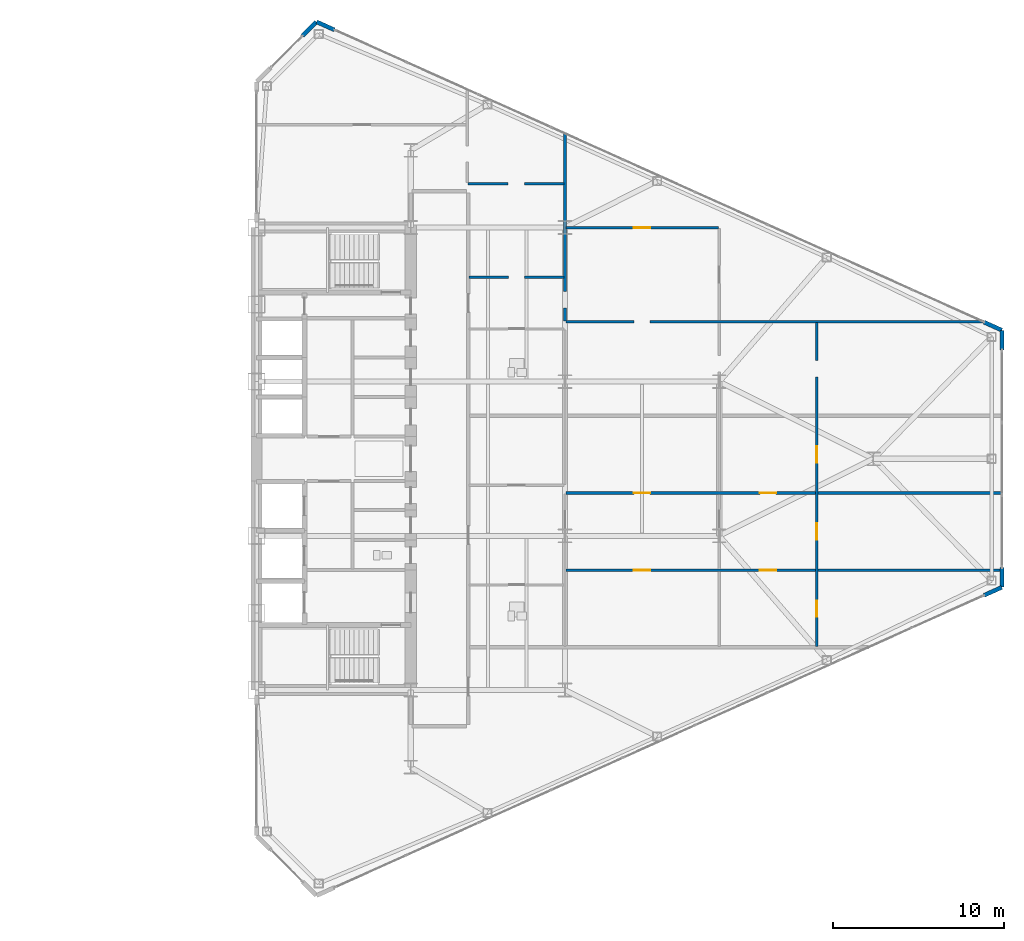
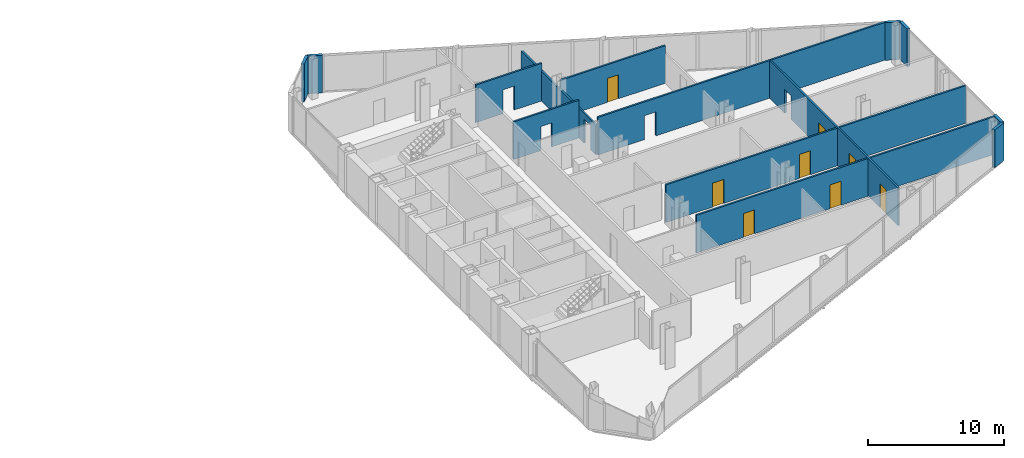
# One storey, part 24 of 27: 14 walls, 8 doors, 13 openings.
"""IFC4 building model written with IfcOpenShell, lengths in metres."""

from ifc_helpers import new_model, si_unit, direction, frame, frame_2d, origin, place, context, subcontext, project, spatial, rectangle, extrude, source, transform, mapped, material, layer, layer_set, type_object, type_shapes, element, fill, save


model = new_model("IFC4")

# Units and contexts
model_context = context("Model", 3, precision=1e-05, world=origin(), true_north=direction((0.0, 1.0)))
body_context = subcontext(model_context, "Body", "Model", "MODEL_VIEW")
ifc_project = project(units=[si_unit("LENGTHUNIT", "METRE"), si_unit("AREAUNIT", "SQUARE_METRE"), si_unit("VOLUMEUNIT", "CUBIC_METRE"), si_unit("PLANEANGLEUNIT", "RADIAN"), si_unit("MASSUNIT", "GRAM", prefix="KILO")], contexts=[model_context])

# Site, building, storey
site_placement = place(None, origin())
site = spatial("IfcSite", under=ifc_project, at=site_placement, CompositionType="ELEMENT")
building_placement = place(site_placement, origin())
building = spatial("IfcBuilding", under=site, at=building_placement, Name="Seokmaru Belvedere", CompositionType="ELEMENT")
storey_placement = place(building_placement, frame((0.0, 0.0, 103.199951171875)))
storey = spatial("IfcBuildingStorey", under=building, at=storey_placement, Name="L27", CompositionType="ELEMENT", Elevation=103.199951171875)

# Wall, openings, doors
ifc_material_1 = material(Name="Fire-Rated Gypsum Shaftwall")
ifc_layer_1 = layer(ifc_material_1, 0.14990234375)
ifc_layer_set_1 = layer_set([ifc_layer_1], Name="Fire-Rated Gypsum Shaftwall")
wall_type_1 = type_object("IfcWallType", Name="Apartment Fire-Acoustic Room Partition 150", PredefinedType="PARTITIONING", material=ifc_layer_set_1)
wall_1_placement = place(storey_placement, frame((45.550048828125, -6.5, 0.0), z_axis=(0.0, 0.0, 1.0), x_axis=(1.0, 0.0, 0.0)))
wall_1 = element("IfcWall", 1, at=wall_1_placement, inside=storey, type_object=wall_type_1, Name="L27 Interior Partition 011", PredefinedType="PARTITIONING", context=body_context, shape_type="SweptSolid", body=[
    extrude(rectangle(XDim=25.324951171875, YDim=0.14990234375, at=frame_2d((12.66259765625, 0.0))), origin(), (0.0, 0.0, 1.0), 3.380126953125),
])
opening_1_placement = place(wall_1_placement, frame((3.97509765625, 0.0, 0.0)))
opening_1 = element("IfcOpeningElement", 2, at=opening_1_placement, cuts=wall_1, Name="Opening D05", PredefinedType="OPENING", context=body_context, shape_type="SweptSolid", body=[
    extrude(rectangle(XDim=0.949951171875, YDim=2.14990234375, at=frame_2d((0.47509765625, 1.074951171875))), frame((0.0, 0.0849609375, 0.0), z_axis=(0.0, -1.0, 0.0), x_axis=(1.0, 0.0, 0.0)), (0.0, 0.0, 1.0), 0.169921875),
])
opening_2_placement = place(wall_1_placement, frame((11.324951171875, 0.0, 0.0)))
opening_2 = element("IfcOpeningElement", 3, at=opening_2_placement, cuts=wall_1, Name="Opening D05", PredefinedType="OPENING", context=body_context, shape_type="SweptSolid", body=[
    extrude(rectangle(XDim=0.949951171875, YDim=2.14990234375, at=frame_2d((0.47509765625, 1.074951171875))), frame((0.0, 0.0849609375, 0.0), z_axis=(0.0, -1.0, 0.0), x_axis=(1.0, 0.0, 0.0)), (0.0, 0.0, 1.0), 0.169921875),
])
ifc_material_2 = material(Name="Engineered White Oak Timber", Category="wood")
door_type = type_object("IfcDoorType", Name="Apartment Interior Fire-Rated Oak Door 950x2150", OperationType="NOTDEFINED", PredefinedType="DOOR", material=ifc_material_2)
shared_shape = source(origin(), body_context, "Body", "SweptSolid", [
    extrude(rectangle(XDim=0.949951171875, YDim=2.14990234375, at=frame_2d((0.47509765625, 1.074951171875))), frame((0.0, 0.02490234375, 0.0), z_axis=(0.0, -1.0, 0.0), x_axis=(1.0, 0.0, 0.0)), (0.0, 0.0, 1.0), 0.050048828125),
])
type_shapes(door_type, [shared_shape])
door_1_placement = place(opening_1_placement, origin())
door_1 = element("IfcDoor", 4, at=door_1_placement, inside=storey, type_object=door_type, Name="L27 Interior Door 042", OperationType="SINGLE_SWING_LEFT", OverallHeight=2.14990234375, OverallWidth=0.949951171875, PredefinedType="DOOR", context=body_context, shape_type="MappedRepresentation", body=[
    mapped(shared_shape, transform((0.0, 0.0, 0.0), scale=1.0)),
])
fill(opening_1, door_1)
door_2_placement = place(opening_2_placement, origin())
door_2 = element("IfcDoor", 5, at=door_2_placement, inside=storey, type_object=door_type, Name="L27 Interior Door 044", OperationType="SINGLE_SWING_RIGHT", OverallHeight=2.14990234375, OverallWidth=0.949951171875, PredefinedType="DOOR", context=body_context, shape_type="MappedRepresentation", body=[
    mapped(shared_shape, transform((0.0, 0.0, 0.0), scale=1.0)),
])
fill(opening_2, door_2)

wall_2_placement = place(storey_placement, frame((45.550048828125, -2.0, 0.0), z_axis=(0.0, 0.0, 1.0), x_axis=(1.0, 0.0, 0.0)))
wall_2 = element("IfcWall", 6, at=wall_2_placement, inside=storey, type_object=wall_type_1, Name="L27 Interior Partition 013", PredefinedType="PARTITIONING", context=body_context, shape_type="SweptSolid", body=[
    extrude(rectangle(XDim=25.48486328125, YDim=0.14990234375, at=frame_2d((12.742431640625, 0.0))), origin(), (0.0, 0.0, 1.0), 3.380126953125),
])
opening_3_placement = place(wall_2_placement, frame((3.97509765625, 0.0, 0.0)))
opening_3 = element("IfcOpeningElement", 7, at=opening_3_placement, cuts=wall_2, Name="Opening D05", PredefinedType="OPENING", context=body_context, shape_type="SweptSolid", body=[
    extrude(rectangle(XDim=0.949951171875, YDim=2.14990234375, at=frame_2d((0.47509765625, 1.074951171875))), frame((0.0, 0.0849609375, 0.0), z_axis=(0.0, -1.0, 0.0), x_axis=(1.0, 0.0, 0.0)), (0.0, 0.0, 1.0), 0.169921875),
])
opening_4_placement = place(wall_2_placement, frame((11.324951171875, 0.0, 0.0)))
opening_4 = element("IfcOpeningElement", 8, at=opening_4_placement, cuts=wall_2, Name="Opening D05", PredefinedType="OPENING", context=body_context, shape_type="SweptSolid", body=[
    extrude(rectangle(XDim=0.949951171875, YDim=2.14990234375, at=frame_2d((0.47509765625, 1.074951171875))), frame((0.0, 0.0849609375, 0.0), z_axis=(0.0, -1.0, 0.0), x_axis=(1.0, 0.0, 0.0)), (0.0, 0.0, 1.0), 0.169921875),
])
door_3_placement = place(opening_3_placement, origin())
door_3 = element("IfcDoor", 9, at=door_3_placement, inside=storey, type_object=door_type, Name="L27 Interior Door 043", OperationType="SINGLE_SWING_RIGHT", OverallHeight=2.14990234375, OverallWidth=0.949951171875, PredefinedType="DOOR", context=body_context, shape_type="MappedRepresentation", body=[
    mapped(shared_shape, transform((0.0, 0.0, 0.0), scale=1.0)),
])
fill(opening_3, door_3)
door_4_placement = place(opening_4_placement, origin())
door_4 = element("IfcDoor", 10, at=door_4_placement, inside=storey, type_object=door_type, Name="L27 Interior Door 047", OperationType="SINGLE_SWING_RIGHT", OverallHeight=2.14990234375, OverallWidth=0.949951171875, PredefinedType="DOOR", context=body_context, shape_type="MappedRepresentation", body=[
    mapped(shared_shape, transform((0.0, 0.0, 0.0), scale=1.0)),
])
fill(opening_4, door_4)

# Wall, opening
wall_3_placement = place(storey_placement, frame((45.550048828125, 7.989990234375, 0.0), z_axis=(0.0, 0.0, 1.0), x_axis=(1.0, 0.0, 0.0)))
wall_3 = element("IfcWall", 11, at=wall_3_placement, inside=storey, type_object=wall_type_1, Name="L27 Interior Partition 020", PredefinedType="PARTITIONING", context=body_context, shape_type="SweptSolid", body=[
    extrude(rectangle(XDim=24.391845703125, YDim=0.14990234375, at=frame_2d((12.19580078125, 0.0))), origin(), (0.0, 0.0, 1.0), 3.380126953125),
])
opening_5_placement = place(wall_3_placement, frame((3.97509765625, 0.0, 0.0)))
element("IfcOpeningElement", 12, at=opening_5_placement, cuts=wall_3, Name="L27 Cased Opening 054", PredefinedType="OPENING", context=body_context, shape_type="SweptSolid", body=[
    extrude(rectangle(XDim=0.949951171875, YDim=2.14990234375, at=frame_2d((0.47509765625, 1.074951171875))), frame((0.0, 0.0849609375, 0.0), z_axis=(0.0, -1.0, 0.0), x_axis=(1.0, 0.0, 0.0)), (0.0, 0.0, 1.0), 0.169921875),
])

wall_4_placement = place(storey_placement, frame((39.89990234375, 10.580078125, 0.0), z_axis=(0.0, 0.0, 1.0), x_axis=(1.0, 0.0, 0.0)))
wall_4 = element("IfcWall", 13, at=wall_4_placement, inside=storey, type_object=wall_type_1, Name="L27 Interior Partition 023", PredefinedType="PARTITIONING", context=body_context, shape_type="SweptSolid", body=[
    extrude(rectangle(XDim=5.550048828125, YDim=0.14990234375, at=frame_2d((2.77490234375, 0.0))), origin(), (0.0, 0.0, 1.0), 3.380126953125),
])
opening_6_placement = place(wall_4_placement, frame((2.300048828125, 0.0, 0.0)))
element("IfcOpeningElement", 14, at=opening_6_placement, cuts=wall_4, Name="L27 Cased Opening 051", PredefinedType="OPENING", context=body_context, shape_type="SweptSolid", body=[
    extrude(rectangle(XDim=0.949951171875, YDim=2.14990234375, at=frame_2d((0.47509765625, 1.074951171875))), frame((0.0, 0.0849609375, 0.0), z_axis=(0.0, -1.0, 0.0), x_axis=(1.0, 0.0, 0.0)), (0.0, 0.0, 1.0), 0.169921875),
])

# Wall, opening, door
wall_5_placement = place(storey_placement, frame((45.550048828125, 13.47998046875, 0.0), z_axis=(0.0, 0.0, 1.0), x_axis=(1.0, 0.0, 0.0)))
wall_5 = element("IfcWall", 15, at=wall_5_placement, inside=storey, type_object=wall_type_1, Name="L27 Interior Partition 025", PredefinedType="PARTITIONING", context=body_context, shape_type="SweptSolid", body=[
    extrude(rectangle(XDim=8.89990234375, YDim=0.14990234375, at=frame_2d((4.449951171875, 0.0))), origin(), (0.0, 0.0, 1.0), 3.380126953125),
])
opening_7_placement = place(wall_5_placement, frame((3.97509765625, 0.0, 0.0)))
opening_7 = element("IfcOpeningElement", 16, at=opening_7_placement, cuts=wall_5, Name="Opening D05", PredefinedType="OPENING", context=body_context, shape_type="SweptSolid", body=[
    extrude(rectangle(XDim=0.949951171875, YDim=2.14990234375, at=frame_2d((0.47509765625, 1.074951171875))), frame((0.0, 0.0849609375, 0.0), z_axis=(0.0, -1.0, 0.0), x_axis=(1.0, 0.0, 0.0)), (0.0, 0.0, 1.0), 0.169921875),
])
door_5_placement = place(opening_7_placement, origin())
door_5 = element("IfcDoor", 17, at=door_5_placement, inside=storey, type_object=door_type, Name="L27 Interior Door 055", OperationType="SINGLE_SWING_LEFT", OverallHeight=2.14990234375, OverallWidth=0.949951171875, PredefinedType="DOOR", context=body_context, shape_type="MappedRepresentation", body=[
    mapped(shared_shape, transform((0.0, 0.0, 0.0), scale=1.0)),
])
fill(opening_7, door_5)

# Wall, opening
wall_6_placement = place(storey_placement, frame((39.85009765625, 16.06005859375, 0.0), z_axis=(0.0, 0.0, 1.0), x_axis=(1.0, 0.0, 0.0)))
wall_6 = element("IfcWall", 18, at=wall_6_placement, inside=storey, type_object=wall_type_1, Name="L27 Interior Partition 029", PredefinedType="PARTITIONING", context=body_context, shape_type="SweptSolid", body=[
    extrude(rectangle(XDim=5.599853515625, YDim=0.14990234375, at=frame_2d((2.7998046875, 0.0))), origin(), (0.0, 0.0, 1.0), 3.380126953125),
])
opening_8_placement = place(wall_6_placement, frame((2.324951171875, 0.0, 0.0)))
element("IfcOpeningElement", 19, at=opening_8_placement, cuts=wall_6, Name="L27 Cased Opening 058", PredefinedType="OPENING", context=body_context, shape_type="SweptSolid", body=[
    extrude(rectangle(XDim=0.949951171875, YDim=2.14990234375, at=frame_2d((0.47509765625, 1.074951171875))), frame((0.0, 0.0849609375, 0.0), z_axis=(0.0, -1.0, 0.0), x_axis=(1.0, 0.0, 0.0)), (0.0, 0.0, 1.0), 0.169921875),
])

wall_7_placement = place(storey_placement, frame((45.5, 8.0419921875, 0.0), z_axis=(0.0, 0.0, 1.0), x_axis=(0.0, 1.0, 0.0)))
wall_7 = element("IfcWall", 20, at=wall_7_placement, inside=storey, type_object=wall_type_1, Name="L27 Interior Partition 051", PredefinedType="PARTITIONING", context=body_context, shape_type="SweptSolid", body=[
    extrude(rectangle(XDim=10.968017578125, YDim=0.14990234375, at=frame_2d((5.48388671875, 0.0))), origin(), (0.0, 0.0, 1.0), 2.679931640625),
])
opening_9_placement = place(wall_7_placement, frame((0.767578125, 0.0, 0.0)))
element("IfcOpeningElement", 21, at=opening_9_placement, cuts=wall_7, Name="L27 Cased Opening 052", PredefinedType="OPENING", context=body_context, shape_type="SweptSolid", body=[
    extrude(rectangle(XDim=0.949951171875, YDim=2.14990234375, at=frame_2d((0.47509765625, 1.074951171875))), frame((0.0, 0.0849609375, 0.0), z_axis=(0.0, -1.0, 0.0), x_axis=(1.0, 0.0, 0.0)), (0.0, 0.0, 1.0), 0.169921875),
])

# Wall, openings, doors
wall_8_placement = place(storey_placement, frame((60.199951171875, -10.949951171875, 0.0), z_axis=(0.0, 0.0, 1.0), x_axis=(0.0, 1.0, 0.0)))
wall_8 = element("IfcWall", 22, at=wall_8_placement, inside=storey, type_object=wall_type_1, Name="L27 Interior Partition 053", PredefinedType="PARTITIONING", context=body_context, shape_type="SweptSolid", body=[
    extrude(rectangle(XDim=18.891845703125, YDim=0.14990234375, at=frame_2d((9.44580078125, 0.0))), origin(), (0.0, 0.0, 1.0), 3.380126953125),
])
opening_10_placement = place(wall_8_placement, frame((1.72509765625, 0.0, 0.0)))
opening_10 = element("IfcOpeningElement", 23, at=opening_10_placement, cuts=wall_8, Name="Opening D05", PredefinedType="OPENING", context=body_context, shape_type="SweptSolid", body=[
    extrude(rectangle(XDim=0.949951171875, YDim=2.14990234375, at=frame_2d((0.47509765625, 1.074951171875))), frame((0.0, 0.0849609375, 0.0), z_axis=(0.0, -1.0, 0.0), x_axis=(1.0, 0.0, 0.0)), (0.0, 0.0, 1.0), 0.169921875),
])
opening_11_placement = place(wall_8_placement, frame((6.22509765625, 0.0, 0.0)))
opening_11 = element("IfcOpeningElement", 24, at=opening_11_placement, cuts=wall_8, Name="Opening D05", PredefinedType="OPENING", context=body_context, shape_type="SweptSolid", body=[
    extrude(rectangle(XDim=0.949951171875, YDim=2.14990234375, at=frame_2d((0.47509765625, 1.074951171875))), frame((0.0, 0.0849609375, 0.0), z_axis=(0.0, -1.0, 0.0), x_axis=(1.0, 0.0, 0.0)), (0.0, 0.0, 1.0), 0.169921875),
])
opening_12_placement = place(wall_8_placement, frame((10.72509765625, 0.0, 0.0)))
opening_12 = element("IfcOpeningElement", 25, at=opening_12_placement, cuts=wall_8, Name="Opening D05", PredefinedType="OPENING", context=body_context, shape_type="SweptSolid", body=[
    extrude(rectangle(XDim=0.949951171875, YDim=2.14990234375, at=frame_2d((0.47509765625, 1.074951171875))), frame((0.0, 0.0849609375, 0.0), z_axis=(0.0, -1.0, 0.0), x_axis=(1.0, 0.0, 0.0)), (0.0, 0.0, 1.0), 0.169921875),
])
opening_13_placement = place(wall_8_placement, frame((15.720947265625, 0.0, 0.0)))
element("IfcOpeningElement", 26, at=opening_13_placement, cuts=wall_8, Name="L27 Cased Opening 057", PredefinedType="OPENING", context=body_context, shape_type="SweptSolid", body=[
    extrude(rectangle(XDim=0.949951171875, YDim=2.14990234375, at=frame_2d((0.47509765625, 1.074951171875))), frame((0.0, 0.0849609375, 0.0), z_axis=(0.0, -1.0, 0.0), x_axis=(1.0, 0.0, 0.0)), (0.0, 0.0, 1.0), 0.169921875),
])
door_6_placement = place(opening_10_placement, origin())
door_6 = element("IfcDoor", 27, at=door_6_placement, inside=storey, type_object=door_type, Name="L27 Interior Door 045", OperationType="SINGLE_SWING_LEFT", OverallHeight=2.14990234375, OverallWidth=0.949951171875, PredefinedType="DOOR", context=body_context, shape_type="MappedRepresentation", body=[
    mapped(shared_shape, transform((0.0, 0.0, 0.0), scale=1.0)),
])
fill(opening_10, door_6)
door_7_placement = place(opening_11_placement, origin())
door_7 = element("IfcDoor", 28, at=door_7_placement, inside=storey, type_object=door_type, Name="L27 Interior Door 046", OperationType="SINGLE_SWING_LEFT", OverallHeight=2.14990234375, OverallWidth=0.949951171875, PredefinedType="DOOR", context=body_context, shape_type="MappedRepresentation", body=[
    mapped(shared_shape, transform((0.0, 0.0, 0.0), scale=1.0)),
])
fill(opening_11, door_7)
door_8_placement = place(opening_12_placement, origin())
door_8 = element("IfcDoor", 29, at=door_8_placement, inside=storey, type_object=door_type, Name="L27 Interior Door 048", OperationType="SINGLE_SWING_LEFT", OverallHeight=2.14990234375, OverallWidth=0.949951171875, PredefinedType="DOOR", context=body_context, shape_type="MappedRepresentation", body=[
    mapped(shared_shape, transform((0.0, 0.0, 0.0), scale=1.0)),
])
fill(opening_12, door_8)

# Walls
ifc_material_3 = material(Name="Anodised Bronze Aluminium", Category="aluminium")
ifc_layer_2 = layer(ifc_material_3, 0.239990234375)
ifc_layer_set_2 = layer_set([ifc_layer_2], Name="Anodised Bronze Aluminium")
wall_type_2 = type_object("IfcWallType", Name="Tower Corner Spandrel Closure Wall 240", PredefinedType="SOLIDWALL", material=ifc_layer_set_2)
for number, where, z_axis, x_axis, name in (
    (30, (69.951416015625, -7.971923828125, 0.0), (0.0, 0.0, 1.0), (0.911929519623, 0.410346866979, 0.0), "L27 E Corner Closure Pier 1B"),
    (31, (71.0, -7.489990234375, 0.0), (0.0, 0.0, 1.0), (0.0, 1.0, 0.0), "L27 E Corner Closure Pier 2A"),
    (32, (71.0, 6.35009765625, 0.0), (0.0, 0.0, 1.0), (0.0, 1.0, 0.0), "L27 E Corner Closure Pier 2B"),
    (33, (70.990966796875, 7.504150390625, 0.0), (0.0, 0.0, 1.0), (-0.911929519623, 0.410346866979, 0.0), "L27 E Corner Closure Pier 3A"),
    (34, (32.048583984375, 25.028076171875, 0.0), (0.0, 0.0, 1.0), (-0.911929519623, 0.410346866979, 0.0), "L27 E Corner Closure Pier 3B"),
):
    element("IfcWall", number, at=place(storey_placement, frame(where, z_axis=z_axis, x_axis=x_axis)), inside=storey, type_object=wall_type_2, Name=name, PredefinedType="SOLIDWALL", context=body_context, shape_type="SweptSolid", body=[
        extrude(rectangle(XDim=1.139892578125, YDim=0.239990234375, at=frame_2d((0.56982421875, 0.0))), origin(), (0.0, 0.0, 1.0), 3.380126953125),
    ])
wall_9_placement = place(storey_placement, frame((30.992919921875, 25.492919921875, 0.0), z_axis=(0.0, 0.0, 1.0), x_axis=(-0.707106781187, -0.707106781187, 0.0)))
element("IfcWall", 35, at=wall_9_placement, inside=storey, type_object=wall_type_2, Name="L27 E Corner Closure Pier 4A", PredefinedType="SOLIDWALL", context=body_context, shape_type="SweptSolid", body=[
    extrude(rectangle(XDim=1.14013671875, YDim=0.239990234375, at=frame_2d((0.570068359375, 0.0))), origin(), (0.0, 0.0, 1.0), 3.380126953125),
])

save(model, "model.ifc")
